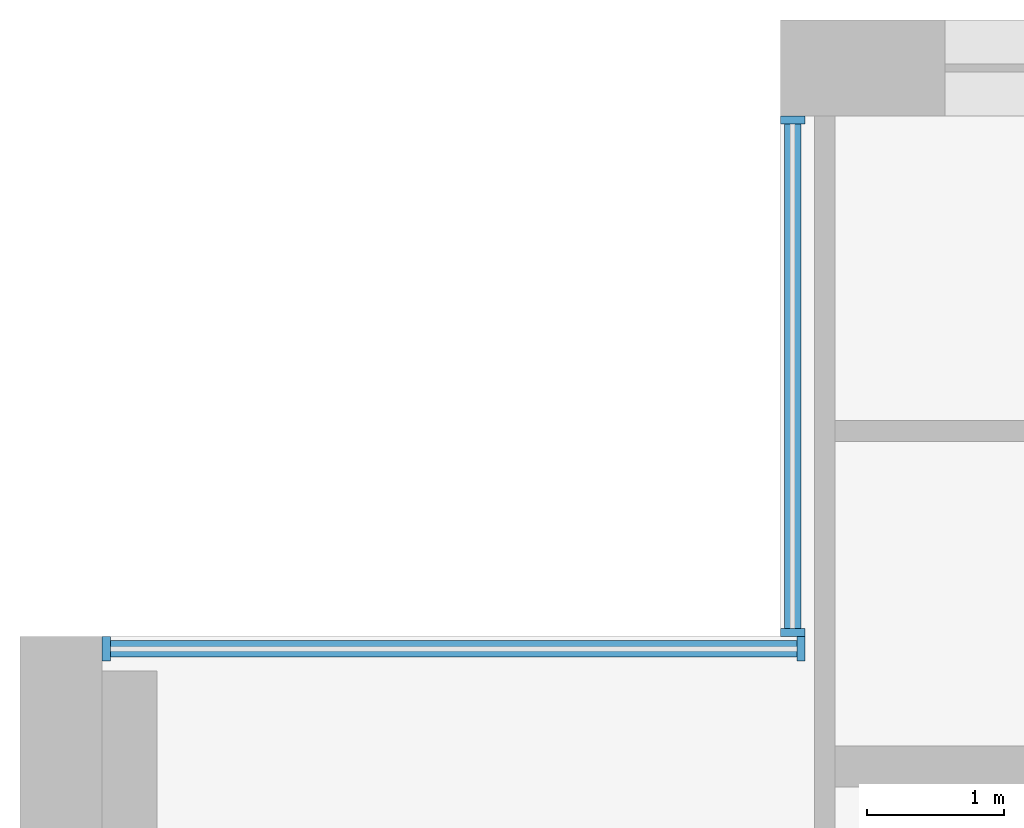
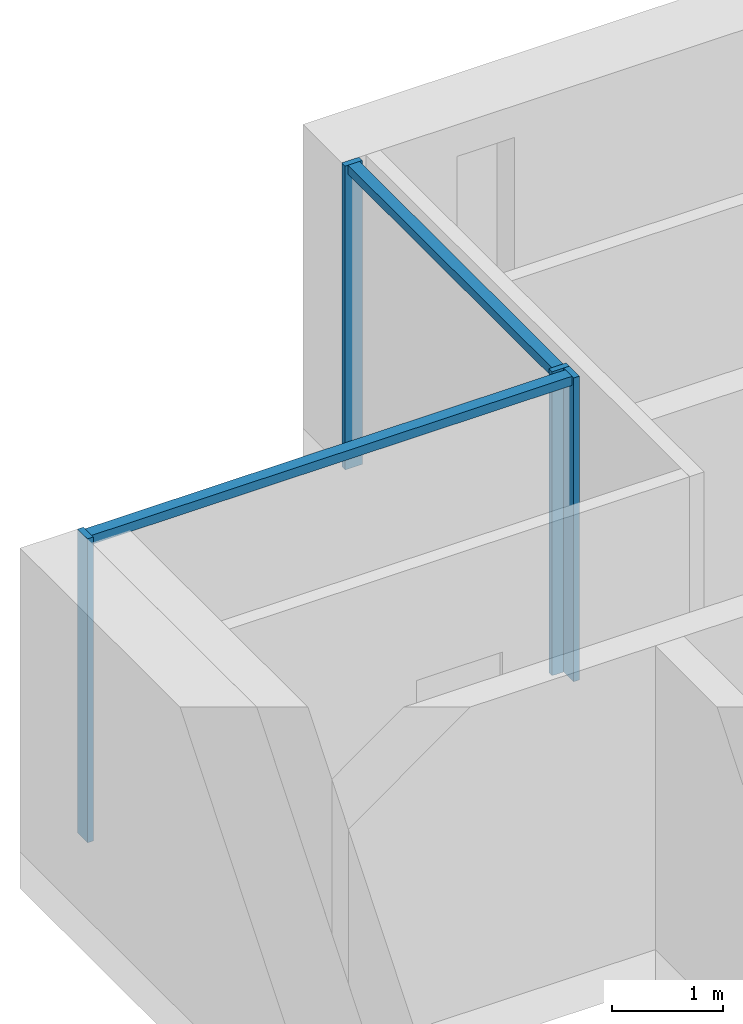
# One storey, part 4 of 17: 6 members, 2 elements without a shape of their own.
"""IFC4 building model written with IfcOpenShell, lengths in metres."""

from ifc_helpers import new_model, si_unit, direction, frame, origin, origin_2d, place, context, subcontext, project, spatial, rectangle, extrude, material, material_profile, profile_set, type_object, element, aggregate, save


model = new_model("IFC4")

# Units and contexts
model_context = context("Model", 3, precision=1e-05, world=origin(), true_north=direction((0.0, 1.0)))
body_context = subcontext(model_context, "Body", "Model", "MODEL_VIEW")
ifc_project = project(units=[si_unit("LENGTHUNIT", "METRE"), si_unit("AREAUNIT", "SQUARE_METRE"), si_unit("VOLUMEUNIT", "CUBIC_METRE"), si_unit("PLANEANGLEUNIT", "RADIAN"), si_unit("MASSUNIT", "GRAM", prefix="KILO")], contexts=[model_context])

# Site, building, storey
site_placement = place(None, origin())
site = spatial("IfcSite", under=ifc_project, at=site_placement, CompositionType="ELEMENT")
building_placement = place(site_placement, origin())
building = spatial("IfcBuilding", under=site, at=building_placement, Name="Calvaro Tower", CompositionType="ELEMENT")
storey_placement = place(building_placement, frame((0.0, 0.0, 196.75)))
storey = spatial("IfcBuildingStorey", under=building, at=storey_placement, Name="L49", CompositionType="ELEMENT", Elevation=196.75)

# Curtain wall, members
ifc_material_1 = material(Name="Anodised aluminium", Category="aluminium")
curtain_wall_type = type_object("IfcCurtainWallType", Name="Office curtain wall, upper zone", PredefinedType="NOTDEFINED", material=ifc_material_1)
curtain_wall_1_placement = place(storey_placement, origin())
curtain_wall_1 = element("IfcCurtainWall", 1, at=curtain_wall_1_placement, inside=storey, type_object=curtain_wall_type, Name="CW3 corner curtain wall", PredefinedType="NOTDEFINED")
ifc_material_2 = material(Name="Anodised aluminium", Category="aluminium")
ifc_material_profile_1 = material_profile(ifc_material_2, rectangle(XDim=0.179931640625, YDim=0.06005859375, at=origin_2d()), Name="Mullion S3 60 x 180")
ifc_profile_set_1 = profile_set([ifc_material_profile_1], Name="Anodised aluminium")
member_type_1 = type_object("IfcMemberType", Name="Mullion S3 60 x 180", PredefinedType="MULLION", material=ifc_profile_set_1)
member_1_placement = place(storey_placement, frame((11.639892578125, 41.530029296875, 0.0), z_axis=(0.0, 0.0, 1.0), x_axis=(-1.0, 0.0, 0.0)))
member_1 = element("IfcMember", 2, at=member_1_placement, type_object=member_type_1, Name="CW3 mullion 1", PredefinedType="MULLION", context=body_context, shape_type="SweptSolid", body=[
    extrude(rectangle(XDim=0.179931640625, YDim=0.06005859375, at=origin_2d()), origin(), (0.0, 0.0, 1.0), 3.35009765625),
])
member_2_placement = place(storey_placement, frame((11.639892578125, 45.27001953125, 0.0), z_axis=(0.0, 0.0, 1.0), x_axis=(-1.0, 0.0, 0.0)))
member_2 = element("IfcMember", 3, at=member_2_placement, type_object=member_type_1, Name="CW3 mullion 2", PredefinedType="MULLION", context=body_context, shape_type="SweptSolid", body=[
    extrude(rectangle(XDim=0.179931640625, YDim=0.06005859375, at=origin_2d()), origin(), (0.0, 0.0, 1.0), 3.35009765625),
])

curtain_wall_2_placement = place(storey_placement, origin())
curtain_wall_2 = element("IfcCurtainWall", 4, at=curtain_wall_2_placement, inside=storey, type_object=curtain_wall_type, Name="CW3 corner curtain wall", PredefinedType="NOTDEFINED")
member_3_placement = place(storey_placement, frame((6.6298828125, 41.409912109375, 0.0), z_axis=(0.0, 0.0, 1.0), x_axis=(0.0, 1.0, 0.0)))
member_3 = element("IfcMember", 5, at=member_3_placement, type_object=member_type_1, Name="CW3 mullion 1", PredefinedType="MULLION", context=body_context, shape_type="SweptSolid", body=[
    extrude(rectangle(XDim=0.179931640625, YDim=0.06005859375, at=origin_2d()), origin(), (0.0, 0.0, 1.0), 3.35009765625),
])
member_4_placement = place(storey_placement, frame((11.699951171875, 41.409912109375, 0.0), z_axis=(0.0, 0.0, 1.0), x_axis=(0.0, 1.0, 0.0)))
member_4 = element("IfcMember", 6, at=member_4_placement, type_object=member_type_1, Name="CW3 mullion 2", PredefinedType="MULLION", context=body_context, shape_type="SweptSolid", body=[
    extrude(rectangle(XDim=0.179931640625, YDim=0.06005859375, at=origin_2d()), origin(), (0.0, 0.0, 1.0), 3.35009765625),
])

# Member
ifc_material_3 = material(Name="Anodised aluminium", Category="aluminium")
ifc_material_profile_2 = material_profile(ifc_material_3, rectangle(XDim=0.1201171875, YDim=0.10009765625, at=origin_2d()), Name="Transom S3 100 x 120")
ifc_profile_set_2 = profile_set([ifc_material_profile_2], Name="Anodised aluminium")
member_type_2 = type_object("IfcMemberType", Name="Transom S3 100 x 120", PredefinedType="USERDEFINED", material=ifc_profile_set_2)
member_5_placement = place(storey_placement, frame((11.639892578125, 41.56005859375, 3.300048828125), z_axis=(0.0, 1.0, 0.0), x_axis=(-1.0, 0.0, 0.0)))
member_5 = element("IfcMember", 7, at=member_5_placement, type_object=member_type_2, Name="CW3 transom 1.1", ObjectType="TRANSOM", PredefinedType="USERDEFINED", context=body_context, shape_type="SweptSolid", body=[
    extrude(rectangle(XDim=0.1201171875, YDim=0.10009765625, at=origin_2d()), origin(), (0.0, 0.0, 1.0), 3.679931640625),
])

aggregate(curtain_wall_1, [member_1, member_2, member_5])

member_6_placement = place(storey_placement, frame((6.659912109375, 41.409912109375, 3.300048828125), z_axis=(1.0, 0.0, 0.0), x_axis=(0.0, 1.0, 0.0)))
member_6 = element("IfcMember", 8, at=member_6_placement, type_object=member_type_2, Name="CW3 transom 1.1", ObjectType="TRANSOM", PredefinedType="USERDEFINED", context=body_context, shape_type="SweptSolid", body=[
    extrude(rectangle(XDim=0.1201171875, YDim=0.10009765625, at=origin_2d()), origin(), (0.0, 0.0, 1.0), 5.010009765625),
])

aggregate(curtain_wall_2, [member_3, member_4, member_6])

save(model, "model.ifc")
